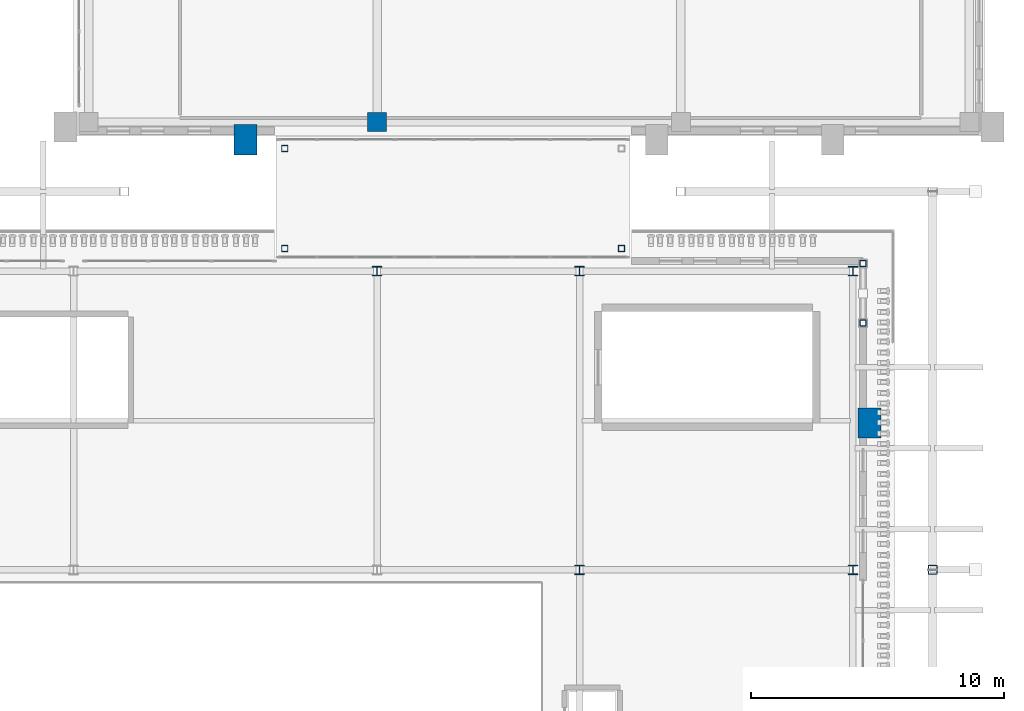
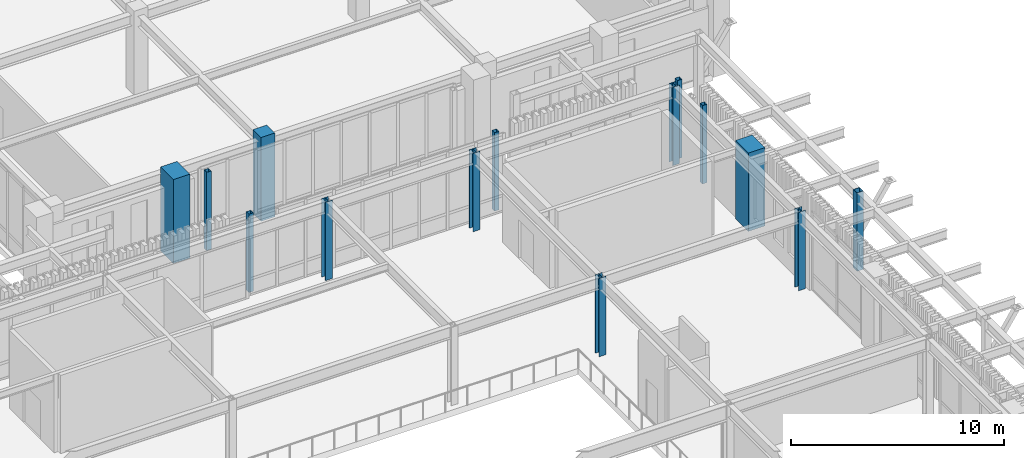
# One storey, part 9 of 126: 14 columns.
"""IFC4 building model written with IfcOpenShell, lengths in metres."""

from ifc_helpers import new_model, si_unit, derived_unit, direction, frame, origin, origin_2d, place, context, subcontext, project, spatial, rectangle, hollow_rectangle, i_section, extrude, material, material_profile, profile_set, type_object, element, save


model = new_model("IFC4")

# Units and contexts
model_context = context("Model", 3, precision=1e-05, world=origin(), true_north=direction((0.0, 1.0)))
body_context = subcontext(model_context, "Body", "Model", "MODEL_VIEW")
ifc_project = project(units=[si_unit("LENGTHUNIT", "METRE"), si_unit("AREAUNIT", "SQUARE_METRE"), si_unit("VOLUMEUNIT", "CUBIC_METRE"), si_unit("PLANEANGLEUNIT", "RADIAN"), si_unit("MASSUNIT", "GRAM", prefix="KILO"), derived_unit("THERMALTRANSMITTANCEUNIT", [(si_unit("MASSUNIT", "GRAM", prefix="KILO"), 1), (si_unit("TIMEUNIT", "SECOND"), -3), (si_unit("THERMODYNAMICTEMPERATUREUNIT", "KELVIN"), -1)])], contexts=[model_context])

# Site, building, storey
site_placement = place(None, origin())
site = spatial("IfcSite", under=ifc_project, at=site_placement, CompositionType="ELEMENT")
building_placement = place(site_placement, origin())
building = spatial("IfcBuilding", under=site, at=building_placement, Name="Valcora Ridge Arena", CompositionType="ELEMENT")
storey_placement = place(building_placement, frame((0.0, 0.0, 11.39990234375)))
storey = spatial("IfcBuildingStorey", under=building, at=storey_placement, Name="L02", CompositionType="ELEMENT", Elevation=11.39990234375)

# Columns
ifc_material_1 = material(Name="Steel ASTM A500 Grade C", Category="steel")
ifc_material_profile_1 = material_profile(ifc_material_1, hollow_rectangle(XDim=0.25, YDim=0.25, WallThickness=0.012451171875, at=origin_2d()), Name="HSS250X250X12")
ifc_profile_set_1 = profile_set([ifc_material_profile_1], Name="Steel ASTM A500 Grade C")
column_type_1 = type_object("IfcColumnType", Name="TY-COLUMN-C-BRG250", PredefinedType="COLUMN", material=ifc_profile_set_1)
for number, where, z_axis, x_axis, name in (
    (1, (164.35009765625, 78.699951171875, 0.0), (0.0, 0.0, 1.0), (1.0, 0.0, 0.0), "C-BRG250 COL-BG-C-BRG250-0019"),
    (2, (177.64990234375, 78.699951171875, 0.0), (0.0, 0.0, 1.0), (1.0, 0.0, 0.0), "C-BRG250 COL-BG-C-BRG250-0022"),
    (3, (164.35009765625, 82.64990234375, 0.0), (0.0, 0.0, 1.0), (1.0, 0.0, 0.0), "C-BRG250 COL-BG-C-BRG250-0025"),
):
    element("IfcColumn", number, at=place(storey_placement, frame(where, z_axis=z_axis, x_axis=x_axis)), inside=storey, type_object=column_type_1, Name=name, PredefinedType="COLUMN", context=body_context, shape_type="SweptSolid", body=[
        extrude(hollow_rectangle(XDim=0.25, YDim=0.25, WallThickness=0.012451171875, at=origin_2d()), origin(), (0.0, 0.0, 1.0), 4.47998046875),
    ])
ifc_material_2 = material(Name="Bush-hammered Andean travertine architectural concrete C45/55", Category="masonry")
ifc_material_profile_2 = material_profile(ifc_material_2, rectangle(XDim=0.89990234375, YDim=1.199951171875, at=origin_2d()), Name="RC 900x1200")
ifc_profile_set_2 = profile_set([ifc_material_profile_2], Name="Bush-hammered Andean travertine architectural concrete C45/55")
column_type_2 = type_object("IfcColumnType", Name="TY-COLUMN-C-BUTT-1200", PredefinedType="PILASTER", material=ifc_profile_set_2)
column_1_placement = place(storey_placement, frame((162.800048828125, 83.0, 0.0), z_axis=(0.0, 0.0, 1.0), x_axis=(1.0, 0.0, 0.0)))
element("IfcColumn", 4, at=column_1_placement, inside=storey, type_object=column_type_2, Name="C-BUTT-1200 COL-C-BUTT-1200-0266", PredefinedType="PILASTER", context=body_context, shape_type="SweptSolid", body=[
    extrude(rectangle(XDim=0.89990234375, YDim=1.199951171875, at=origin_2d()), origin(), (0.0, 0.0, 1.0), 4.800048828125),
])
column_2_placement = place(storey_placement, frame((187.449951171875, 71.800048828125, 0.0), z_axis=(0.0, 0.0, 1.0), x_axis=(1.0, 0.0, 0.0)))
element("IfcColumn", 5, at=column_2_placement, inside=storey, type_object=column_type_2, Name="C-BUTT-1200 COL-C-BUTT-1200-0388", PredefinedType="PILASTER", context=body_context, shape_type="SweptSolid", body=[
    extrude(rectangle(XDim=0.89990234375, YDim=1.199951171875, at=origin_2d()), origin(), (0.0, 0.0, 1.0), 4.47998046875),
])
ifc_material_profile_3 = material_profile(ifc_material_1, hollow_rectangle(XDim=0.25, YDim=0.25, WallThickness=0.012451171875, at=origin_2d()), Name="HSS250X250X12")
ifc_profile_set_3 = profile_set([ifc_material_profile_3], Name="Steel ASTM A500 Grade C")
column_type_3 = type_object("IfcColumnType", Name="TY-COLUMN-C-CBF250", PredefinedType="COLUMN", material=ifc_profile_set_3)
for number, where, z_axis, x_axis, name in (
    (6, (187.199951171875, 75.75, 0.0), (0.0, 0.0, 1.0), (1.0, 0.0, 0.0), "C-CBF250 COL-CBF-C-CBF250-0009"),
    (7, (187.199951171875, 78.10009765625, 0.0), (0.0, 0.0, 1.0), (1.0, 0.0, 0.0), "C-CBF250 COL-CBF-C-CBF250-0012"),
):
    element("IfcColumn", number, at=place(storey_placement, frame(where, z_axis=z_axis, x_axis=x_axis)), inside=storey, type_object=column_type_3, Name=name, PredefinedType="COLUMN", context=body_context, shape_type="SweptSolid", body=[
        extrude(hollow_rectangle(XDim=0.25, YDim=0.25, WallThickness=0.012451171875, at=origin_2d()), origin(), (0.0, 0.0, 1.0), 4.47998046875),
    ])
ifc_material_profile_4 = material_profile(ifc_material_1, hollow_rectangle(XDim=0.35009765625, YDim=0.35009765625, WallThickness=0.01611328125, at=origin_2d()), Name="HSS350X350X16")
ifc_profile_set_4 = profile_set([ifc_material_profile_4], Name="Steel ASTM A500 Grade C")
column_type_4 = type_object("IfcColumnType", Name="TY-COLUMN-C-COL350", PredefinedType="COLUMN", material=ifc_profile_set_4)
column_3_placement = place(storey_placement, frame((189.949951171875, 66.0, 0.0), z_axis=(0.0, 0.0, 1.0), x_axis=(1.0, 0.0, 0.0)))
element("IfcColumn", 8, at=column_3_placement, inside=storey, type_object=column_type_4, Name="C-COL350 COL-C-COL350-0039", PredefinedType="COLUMN", context=body_context, shape_type="SweptSolid", body=[
    extrude(hollow_rectangle(XDim=0.35009765625, YDim=0.35009765625, WallThickness=0.01611328125, at=origin_2d()), origin(), (0.0, 0.0, 1.0), 4.47998046875),
])
ifc_material_3 = material(Name="Concrete C40/50", Category="concrete")
ifc_material_profile_5 = material_profile(ifc_material_3, rectangle(XDim=0.75, YDim=0.75, at=origin_2d()), Name="RC 750x750")
ifc_profile_set_5 = profile_set([ifc_material_profile_5], Name="Concrete C40/50")
column_type_5 = type_object("IfcColumnType", Name="TY-COLUMN-C-RC750", PredefinedType="COLUMN", material=ifc_profile_set_5)
column_4_placement = place(storey_placement, frame((168.0, 83.699951171875, 0.0), z_axis=(0.0, 0.0, 1.0), x_axis=(1.0, 0.0, 0.0)))
element("IfcColumn", 9, at=column_4_placement, inside=storey, type_object=column_type_5, Name="C-RC750 COL-C-RC750-0095", PredefinedType="COLUMN", context=body_context, shape_type="SweptSolid", body=[
    extrude(rectangle(XDim=0.75, YDim=0.75, at=origin_2d()), origin(), (0.0, 0.0, 1.0), 4.800048828125),
])
ifc_material_4 = material(Name="Steel ASTM A572 Grade 50", Category="steel")
ifc_material_profile_6 = material_profile(ifc_material_4, i_section(OverallWidth=0.3740234375, OverallDepth=0.373046875, WebThickness=0.016357421875, FlangeThickness=0.026123046875, FilletRadius=0.01806640625, at=origin_2d()), Name="W14X132")
ifc_profile_set_6 = profile_set([ifc_material_profile_6], Name="Steel ASTM A572 Grade 50")
column_type_6 = type_object("IfcColumnType", Name="TY-COLUMN-C-STL14B", PredefinedType="COLUMN", material=ifc_profile_set_6)
for number, where, z_axis, x_axis, name in (
    (10, (168.0, 77.800048828125, 0.0), (0.0, 0.0, 1.0), (1.0, 0.0, 0.0), "C-STL14B COL-C-STL14B-0044"),
    (11, (176.0, 66.0, 0.0), (0.0, 0.0, 1.0), (1.0, 0.0, 0.0), "C-STL14B COL-C-STL14B-0054"),
    (12, (176.0, 77.800048828125, 0.0), (0.0, 0.0, 1.0), (1.0, 0.0, 0.0), "C-STL14B COL-C-STL14B-0056"),
    (13, (186.800048828125, 66.0, 0.0), (0.0, 0.0, 1.0), (1.0, 0.0, 0.0), "C-STL14B COL-C-STL14B-0068"),
    (14, (186.800048828125, 77.800048828125, 0.0), (0.0, 0.0, 1.0), (1.0, 0.0, 0.0), "C-STL14B COL-C-STL14B-0070"),
):
    element("IfcColumn", number, at=place(storey_placement, frame(where, z_axis=z_axis, x_axis=x_axis)), inside=storey, type_object=column_type_6, Name=name, PredefinedType="COLUMN", context=body_context, shape_type="SweptSolid", body=[
        extrude(i_section(OverallWidth=0.3740234375, OverallDepth=0.373046875, WebThickness=0.016357421875, FlangeThickness=0.026123046875, FilletRadius=0.01806640625, at=origin_2d()), origin(), (0.0, 0.0, 1.0), 4.47998046875),
    ])

save(model, "model.ifc")
